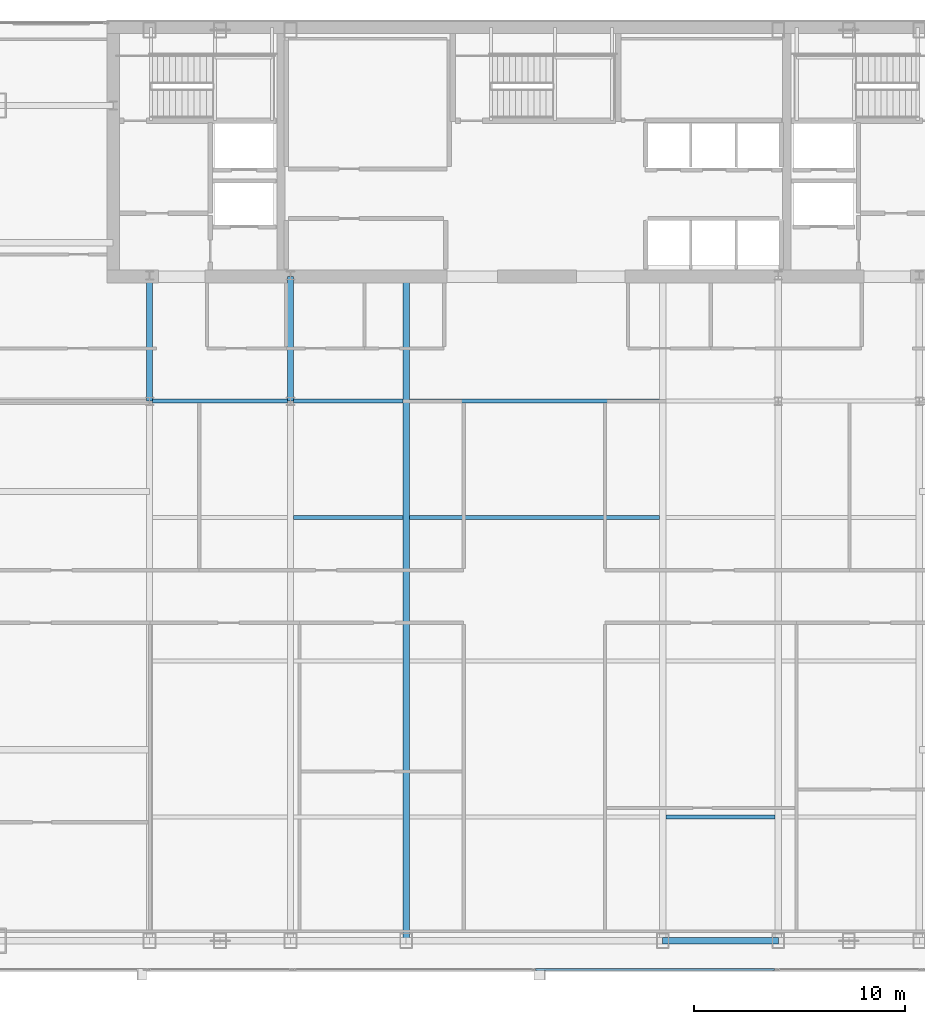
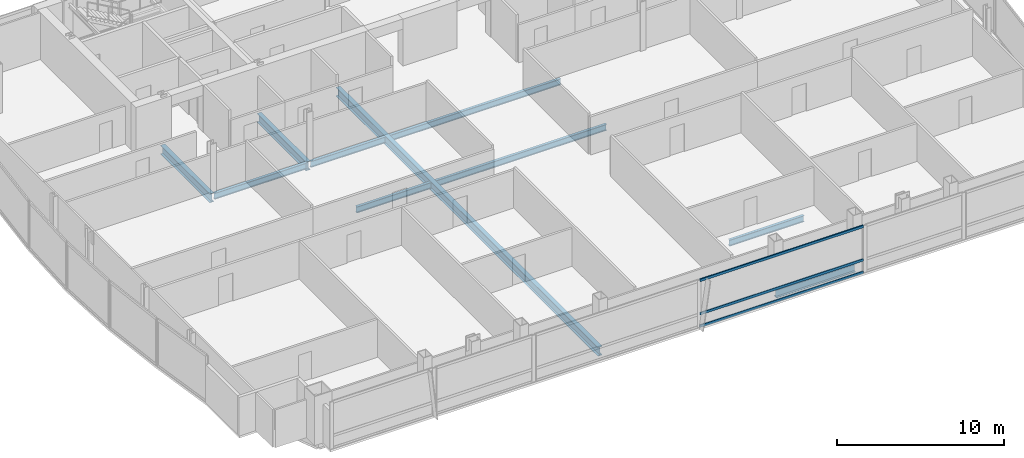
# One storey, part 13 of 32: 10 beams, 3 members, 1 element without a shape of its own.
"""IFC4 building model written with IfcOpenShell, lengths in metres."""

from ifc_helpers import new_model, si_unit, direction, frame, origin, origin_2d, place, context, subcontext, project, spatial, hollow_rectangle, i_section, extrude, material, material_profile, profile_set, type_object, element, aggregate, save


model = new_model("IFC4")

# Units and contexts
model_context = context("Model", 3, precision=1e-05, world=origin(), true_north=direction((0.0, 1.0)))
body_context = subcontext(model_context, "Body", "Model", "MODEL_VIEW")
ifc_project = project(units=[si_unit("LENGTHUNIT", "METRE"), si_unit("AREAUNIT", "SQUARE_METRE"), si_unit("VOLUMEUNIT", "CUBIC_METRE"), si_unit("PLANEANGLEUNIT", "RADIAN"), si_unit("MASSUNIT", "GRAM", prefix="KILO")], contexts=[model_context])

# Site, building, storey
site_placement = place(None, origin())
site = spatial("IfcSite", under=ifc_project, at=site_placement, CompositionType="ELEMENT")
building_placement = place(site_placement, origin())
building = spatial("IfcBuilding", under=site, at=building_placement, Name="Khoronbel Lancet Exchange", CompositionType="ELEMENT")
storey_placement = place(building_placement, frame((0.0, 0.0, 228.199951171875)))
storey = spatial("IfcBuildingStorey", under=building, at=storey_placement, Name="L58", CompositionType="ELEMENT", Elevation=228.199951171875)

# Beams
ifc_material_1 = material(Name="Steel S355", Category="steel")
ifc_material_profile_1 = material_profile(ifc_material_1, i_section(OverallWidth=0.300048828125, OverallDepth=0.64990234375, WebThickness=0.01611328125, FlangeThickness=0.031005859375, at=origin_2d()), Name="HEB 650")
ifc_profile_set_1 = profile_set([ifc_material_profile_1], Name="Steel S355")
beam_type_1 = type_object("IfcBeamType", Name="BM-BG4", PredefinedType="BEAM", material=ifc_profile_set_1)
for number, where, z_axis, x_axis, name in (
    (1, (18.22509765625, 35.699951171875, -0.48486328125), (0.0, 1.0, 0.0), (-1.0, 0.0, 0.0), "Level L58 spine tie girder GN1"),
    (2, (24.89990234375, 35.699951171875, -0.48486328125), (0.0, 1.0, 0.0), (-1.0, 0.0, 0.0), "Level L58 spine tie girder GN2"),
):
    element("IfcBeam", number, at=place(storey_placement, frame(where, z_axis=z_axis, x_axis=x_axis)), inside=storey, type_object=beam_type_1, Name=name, PredefinedType="BEAM", context=body_context, shape_type="SweptSolid", body=[
        extrude(i_section(OverallWidth=0.300048828125, OverallDepth=0.64990234375, WebThickness=0.01611328125, FlangeThickness=0.031005859375, at=origin_2d()), origin(), (0.0, 0.0, 1.0), 5.900146484375),
    ])
beam_1_placement = place(storey_placement, frame((30.375, 10.14990234375, -0.48486328125), z_axis=(0.0, 1.0, 0.0), x_axis=(-1.0, 0.0, 0.0)))
element("IfcBeam", 3, at=beam_1_placement, inside=storey, type_object=beam_type_1, Name="Level L58 primary floor girder G3", PredefinedType="BEAM", context=body_context, shape_type="SweptSolid", body=[
    extrude(i_section(OverallWidth=0.300048828125, OverallDepth=0.64990234375, WebThickness=0.01611328125, FlangeThickness=0.031005859375, at=origin_2d()), origin(), (0.0, 0.0, 1.0), 31.4501953125),
])
ifc_material_profile_2 = material_profile(ifc_material_1, i_section(OverallWidth=0.18994140625, OverallDepth=0.449951171875, WebThickness=0.009521484375, FlangeThickness=0.0146484375, at=origin_2d()), Name="IPE 450")
ifc_profile_set_2 = profile_set([ifc_material_profile_2], Name="Steel S355")
beam_type_2 = type_object("IfcBeamType", Name="BM-BJ4", PredefinedType="JOIST", material=ifc_profile_set_2)
for number, where, z_axis, x_axis, name in (
    (4, (42.675048828125, 16.0, -0.385009765625), (1.0, 0.0, 0.0), (0.0, 1.0, 0.0), "Level L58 secondary composite joist J04"),
    (5, (25.050048828125, 30.199951171875, -0.385009765625), (1.0, 0.0, 0.0), (0.0, 1.0, 0.0), "Level L58 secondary composite joist J12"),
):
    element("IfcBeam", number, at=place(storey_placement, frame(where, z_axis=z_axis, x_axis=x_axis)), inside=storey, type_object=beam_type_2, Name=name, PredefinedType="JOIST", context=body_context, shape_type="SweptSolid", body=[
        extrude(i_section(OverallWidth=0.18994140625, OverallDepth=0.449951171875, WebThickness=0.009521484375, FlangeThickness=0.0146484375, at=origin_2d()), origin(), (0.0, 0.0, 1.0), 5.175048828125),
    ])
beam_2_placement = place(storey_placement, frame((30.52490234375, 30.199951171875, -0.385009765625), z_axis=(1.0, 0.0, 0.0), x_axis=(0.0, 1.0, 0.0)))
element("IfcBeam", 6, at=beam_2_placement, inside=storey, type_object=beam_type_2, Name="Level L58 secondary composite joist J13", PredefinedType="JOIST", context=body_context, shape_type="SweptSolid", body=[
    extrude(i_section(OverallWidth=0.18994140625, OverallDepth=0.449951171875, WebThickness=0.009521484375, FlangeThickness=0.0146484375, at=origin_2d()), origin(), (0.0, 0.0, 1.0), 11.85009765625),
])
beam_3_placement = place(storey_placement, frame((18.375, 35.699951171875, -0.385009765625), z_axis=(1.0, 0.0, 0.0), x_axis=(0.0, 1.0, 0.0)))
element("IfcBeam", 7, at=beam_3_placement, inside=storey, type_object=beam_type_2, Name="Level L58 secondary composite joist J16", PredefinedType="JOIST", context=body_context, shape_type="SweptSolid", body=[
    extrude(i_section(OverallWidth=0.18994140625, OverallDepth=0.449951171875, WebThickness=0.009521484375, FlangeThickness=0.0146484375, at=origin_2d()), origin(), (0.0, 0.0, 1.0), 6.375),
])
beam_4_placement = place(storey_placement, frame((25.050048828125, 35.699951171875, -0.385009765625), z_axis=(1.0, 0.0, 0.0), x_axis=(0.0, 1.0, 0.0)))
element("IfcBeam", 8, at=beam_4_placement, inside=storey, type_object=beam_type_2, Name="Level L58 secondary composite joist J17", PredefinedType="JOIST", context=body_context, shape_type="SweptSolid", body=[
    extrude(i_section(OverallWidth=0.18994140625, OverallDepth=0.449951171875, WebThickness=0.009521484375, FlangeThickness=0.0146484375, at=origin_2d()), origin(), (0.0, 0.0, 1.0), 5.175048828125),
])
beam_5_placement = place(storey_placement, frame((30.52490234375, 35.699951171875, -0.385009765625), z_axis=(1.0, 0.0, 0.0), x_axis=(0.0, 1.0, 0.0)))
element("IfcBeam", 9, at=beam_5_placement, inside=storey, type_object=beam_type_2, Name="Level L58 secondary composite joist J18", PredefinedType="JOIST", context=body_context, shape_type="SweptSolid", body=[
    extrude(i_section(OverallWidth=0.18994140625, OverallDepth=0.449951171875, WebThickness=0.009521484375, FlangeThickness=0.0146484375, at=origin_2d()), origin(), (0.0, 0.0, 1.0), 11.85009765625),
])
ifc_material_profile_3 = material_profile(ifc_material_1, i_section(OverallWidth=0.300048828125, OverallDepth=0.60009765625, WebThickness=0.015380859375, FlangeThickness=0.030029296875, at=origin_2d()), Name="HEB 600")
ifc_profile_set_3 = profile_set([ifc_material_profile_3], Name="Steel S355")
beam_type_3 = type_object("IfcBeamType", Name="BM-BSP2", PredefinedType="SPANDREL", material=ifc_profile_set_3)
beam_6_placement = place(storey_placement, frame((42.52490234375, 10.14990234375, -0.4599609375), z_axis=(1.0, 0.0, 0.0), x_axis=(0.0, 1.0, 0.0)))
element("IfcBeam", 10, at=beam_6_placement, inside=storey, type_object=beam_type_3, Name="Level L58 perimeter spandrel beam SP06", PredefinedType="SPANDREL", context=body_context, shape_type="SweptSolid", body=[
    extrude(i_section(OverallWidth=0.300048828125, OverallDepth=0.60009765625, WebThickness=0.015380859375, FlangeThickness=0.030029296875, at=origin_2d()), origin(), (0.0, 0.0, 1.0), 5.47509765625),
])

# Curtain wall, members
ifc_material_2 = material(Name="Low-E Solar Control Insulating Glass", Category="glass")
curtain_wall_type = type_object("IfcCurtainWallType", Name="CW-3", PredefinedType="NOTDEFINED", material=ifc_material_2)
curtain_wall_placement = place(storey_placement, origin())
curtain_wall = element("IfcCurtainWall", 11, at=curtain_wall_placement, inside=storey, type_object=curtain_wall_type, Name="Unitised curtain wall CW-L58-SCV", PredefinedType="NOTDEFINED")
ifc_material_3 = material(Name="Bronze-Anodised Aluminium 6063-T6", Category="aluminium")
ifc_material_profile_4 = material_profile(ifc_material_3, hollow_rectangle(XDim=0.0849609375, YDim=0.179931640625, WallThickness=0.0048828125, at=origin_2d()), Name="ALU TRANSOM 85x180")
ifc_profile_set_4 = profile_set([ifc_material_profile_4], Name="Bronze-Anodised Aluminium 6063-T6")
member_type = type_object("IfcMemberType", Name="MEM-CWT1", PredefinedType="USERDEFINED", material=ifc_profile_set_4)
member_1_placement = place(storey_placement, frame((36.492431640625, 8.7900390625, 0.04248046875), z_axis=(1.0, 0.0, 0.0), x_axis=(0.0, 1.0, 0.0)))
member_1 = element("IfcMember", 12, at=member_1_placement, type_object=member_type, Name="CW3 transom 2.1", ObjectType="TRANSOM", PredefinedType="USERDEFINED", context=body_context, shape_type="SweptSolid", body=[
    extrude(hollow_rectangle(XDim=0.0849609375, YDim=0.179931640625, WallThickness=0.0048828125, at=origin_2d()), origin(), (0.0, 0.0, 1.0), 11.322509765625),
])
member_2_placement = place(storey_placement, frame((36.492431640625, 8.7900390625, 0.949951171875), z_axis=(1.0, 0.0, 0.0), x_axis=(0.0, 1.0, 0.0)))
member_2 = element("IfcMember", 13, at=member_2_placement, type_object=member_type, Name="CW3 transom 2.2", ObjectType="TRANSOM", PredefinedType="USERDEFINED", context=body_context, shape_type="SweptSolid", body=[
    extrude(hollow_rectangle(XDim=0.0849609375, YDim=0.179931640625, WallThickness=0.0048828125, at=origin_2d()), origin(), (0.0, 0.0, 1.0), 11.322509765625),
])
member_3_placement = place(storey_placement, frame((36.492431640625, 8.7900390625, 3.3974609375), z_axis=(1.0, 0.0, 0.0), x_axis=(0.0, 1.0, 0.0)))
member_3 = element("IfcMember", 14, at=member_3_placement, type_object=member_type, Name="CW3 transom 2.3", ObjectType="TRANSOM", PredefinedType="USERDEFINED", context=body_context, shape_type="SweptSolid", body=[
    extrude(hollow_rectangle(XDim=0.0849609375, YDim=0.179931640625, WallThickness=0.0048828125, at=origin_2d()), origin(), (0.0, 0.0, 1.0), 11.322509765625),
])
aggregate(curtain_wall, [member_1, member_2, member_3])

save(model, "model.ifc")
